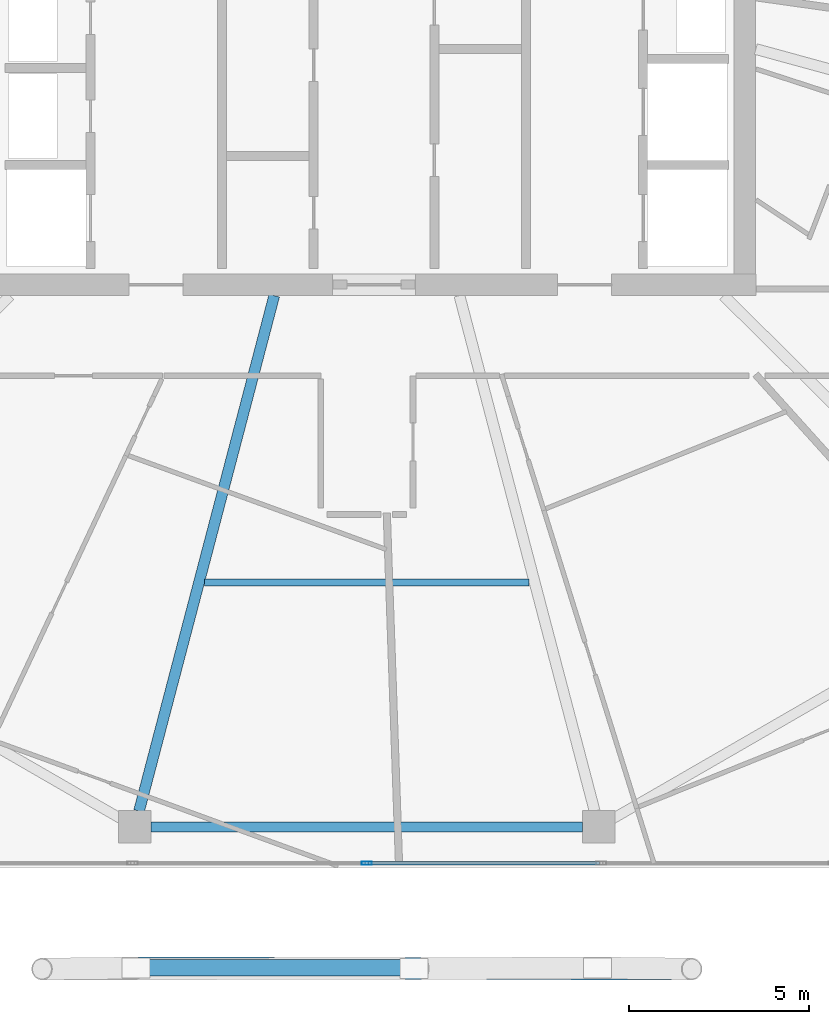
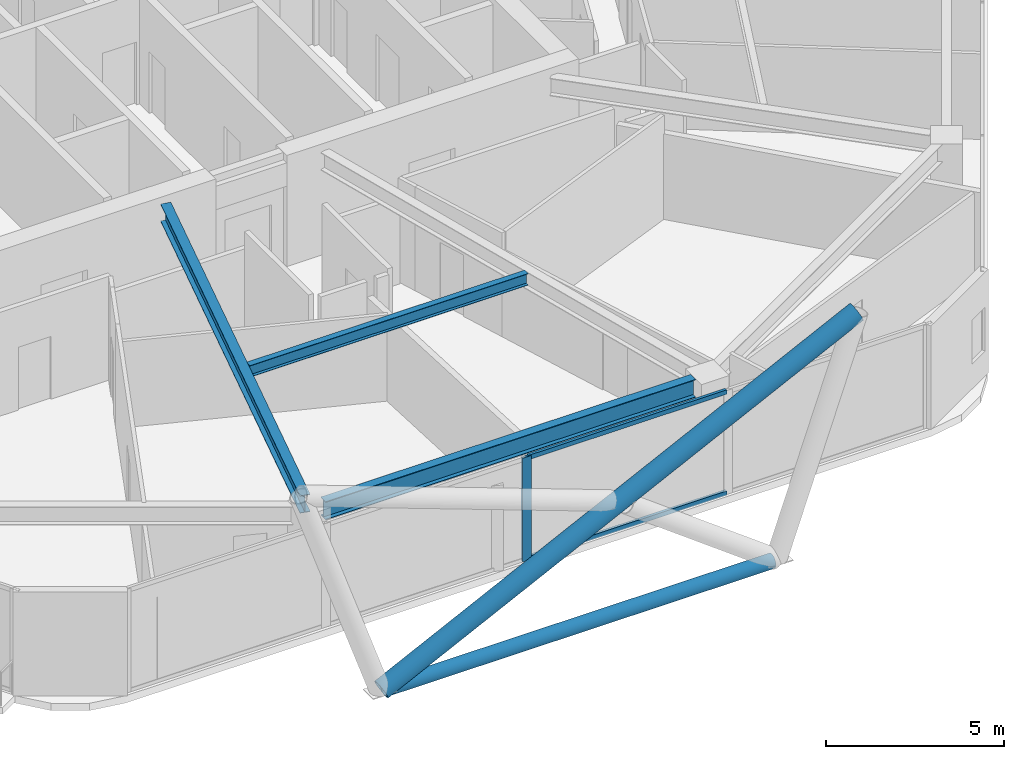
# One storey, part 4 of 27: 5 members, 3 beams, 1 element without a shape of its own.
"""IFC4 building model written with IfcOpenShell, lengths in metres."""

from ifc_helpers import new_model, si_unit, direction, frame, origin, origin_2d, place, context, subcontext, project, spatial, hollow_rectangle, hollow_circle, i_section, extrude, material, material_profile, profile_set, type_object, element, aggregate, save


model = new_model("IFC4")

# Units and contexts
model_context = context("Model", 3, precision=1e-05, world=origin(), true_north=direction((0.0, 1.0)))
body_context = subcontext(model_context, "Body", "Model", "MODEL_VIEW")
ifc_project = project(units=[si_unit("LENGTHUNIT", "METRE"), si_unit("AREAUNIT", "SQUARE_METRE"), si_unit("VOLUMEUNIT", "CUBIC_METRE"), si_unit("PLANEANGLEUNIT", "RADIAN"), si_unit("MASSUNIT", "GRAM", prefix="KILO")], contexts=[model_context])

# Site, building, storey
site_placement = place(None, origin())
site = spatial("IfcSite", under=ifc_project, at=site_placement, CompositionType="ELEMENT")
building_placement = place(site_placement, origin())
building = spatial("IfcBuilding", under=site, at=building_placement, Name="Zuhravey Tower", CompositionType="ELEMENT")
storey_placement = place(building_placement, frame((0.0, 0.0, 238.800048828125)))
storey = spatial("IfcBuildingStorey", under=building, at=storey_placement, Name="L60", CompositionType="ELEMENT", Elevation=238.800048828125)

# Curtain wall, members
ifc_material_1 = material(Name="Thermally broken anodised aluminium", Category="aluminium")
curtain_wall_type = type_object("IfcCurtainWallType", Name="Zone 3-4 High-Rise Curtain Wall CW4", PredefinedType="NOTDEFINED", material=ifc_material_1)
curtain_wall_placement = place(storey_placement, origin())
curtain_wall = element("IfcCurtainWall", 1, at=curtain_wall_placement, inside=storey, type_object=curtain_wall_type, Name="L60 CW4 CW-L60-F5-1", PredefinedType="NOTDEFINED")
ifc_material_2 = material(Name="Anodised aluminium", Category="aluminium")
ifc_material_profile_1 = material_profile(ifc_material_2, hollow_rectangle(XDim=0.090087890625, YDim=0.284912109375, WallThickness=0.0048828125, at=origin_2d()), Name="ALU-RHS-90x285x5")
ifc_profile_set_1 = profile_set([ifc_material_profile_1], Name="Anodised aluminium")
member_type_1 = type_object("IfcMemberType", Name="Curtain-Wall Mullion 90x180", PredefinedType="MULLION", material=ifc_profile_set_1)
member_1_placement = place(storey_placement, frame((36.0, 6.436279296875, 0.0), z_axis=(0.0, 0.0, 1.0), x_axis=(0.0, -1.0, 0.0)))
member_1 = element("IfcMember", 2, at=member_1_placement, type_object=member_type_1, Name="CW4 mullion 3", PredefinedType="MULLION", context=body_context, shape_type="SweptSolid", body=[
    extrude(hollow_rectangle(XDim=0.090087890625, YDim=0.284912109375, WallThickness=0.0048828125, at=origin_2d()), origin(), (0.0, 0.0, 1.0), 3.550048828125),
])
ifc_material_profile_2 = material_profile(ifc_material_2, hollow_rectangle(XDim=0.090087890625, YDim=0.14990234375, WallThickness=0.0048828125, at=origin_2d()), Name="ALU-RHS-90x150x5")
ifc_profile_set_2 = profile_set([ifc_material_profile_2], Name="Anodised aluminium")
member_type_2 = type_object("IfcMemberType", Name="Curtain-Wall Transom 90x150", PredefinedType="USERDEFINED", material=ifc_profile_set_2)
member_2_placement = place(storey_placement, frame((42.46142578125, 6.436279296875, 0.044921875), z_axis=(-1.0, 0.0, 0.0), x_axis=(0.0, -1.0, 0.0)))
member_2 = element("IfcMember", 3, at=member_2_placement, type_object=member_type_2, Name="CW4 transom 2.1", ObjectType="TRANSOM", PredefinedType="USERDEFINED", context=body_context, shape_type="SweptSolid", body=[
    extrude(hollow_rectangle(XDim=0.090087890625, YDim=0.14990234375, WallThickness=0.0048828125, at=origin_2d()), origin(), (0.0, 0.0, 1.0), 6.41650390625),
])
member_3_placement = place(storey_placement, frame((42.46142578125, 6.436279296875, 3.5048828125), z_axis=(-1.0, 0.0, 0.0), x_axis=(0.0, -1.0, 0.0)))
member_3 = element("IfcMember", 4, at=member_3_placement, type_object=member_type_2, Name="CW4 transom 2.2", ObjectType="TRANSOM", PredefinedType="USERDEFINED", context=body_context, shape_type="SweptSolid", body=[
    extrude(hollow_rectangle(XDim=0.090087890625, YDim=0.14990234375, WallThickness=0.0048828125, at=origin_2d()), origin(), (0.0, 0.0, 1.0), 6.41650390625),
])
aggregate(curtain_wall, [member_1, member_2, member_3])

# Members
ifc_material_3 = material(Name="Steel SM355", Category="steel")
ifc_material_profile_3 = material_profile(ifc_material_3, hollow_circle(Radius=0.228515625, WallThickness=0.02197265625, at=origin_2d()), Name="CHS-457.2x22")
ifc_profile_set_3 = profile_set([ifc_material_profile_3], Name="Steel SM355")
member_type_3 = type_object("IfcMemberType", Name="Exoskeleton Ring Tie CHS457x22", PredefinedType="CHORD", material=ifc_profile_set_3)
member_4_placement = place(storey_placement, frame((29.732421875, 3.5263671875, -0.464111328125), z_axis=(1.0, 0.0, 0.0), x_axis=(0.0, 1.0, 0.0)))
element("IfcMember", 5, at=member_4_placement, inside=storey, type_object=member_type_3, Name="L60 Exoskeleton Face 5 Tie EXR1", PredefinedType="CHORD", context=body_context, shape_type="SweptSolid", body=[
    extrude(hollow_circle(Radius=0.228515625, WallThickness=0.02197265625, at=origin_2d()), origin(), (0.0, 0.0, 1.0), 12.53515625),
])
ifc_material_profile_4 = material_profile(ifc_material_3, hollow_circle(Radius=0.3046875, WallThickness=0.028076171875, at=origin_2d()), Name="CHS-609.6x28")
ifc_profile_set_4 = profile_set([ifc_material_profile_4], Name="Steel SM355")
member_type_4 = type_object("IfcMemberType", Name="Exoskeleton Zone 3 Diagrid CHS610x28", PredefinedType="BRACE", material=ifc_profile_set_4)
member_5_placement = place(storey_placement, frame((29.62890625, 3.5263671875, -0.446044921875), z_axis=(0.897160453497, -0.001739318523, 0.441701364558), x_axis=(0.001938689169, 0.99999812074, 0.0)))
element("IfcMember", 6, at=member_5_placement, inside=storey, type_object=member_type_4, Name="L60 Face 5 Diagrid Brace 2", PredefinedType="BRACE", context=body_context, shape_type="SweptSolid", body=[
    extrude(hollow_circle(Radius=0.3046875, WallThickness=0.028076171875, at=origin_2d()), origin(), (0.0, 0.0, 1.0), 17.12451171875),
])

# Beams
ifc_material_profile_5 = material_profile(ifc_material_3, i_section(OverallWidth=0.280029296875, OverallDepth=0.6201171875, WebThickness=0.011962890625, FlangeThickness=0.02001953125, at=origin_2d()), Name="H-620x280x12x20")
ifc_profile_set_5 = profile_set([ifc_material_profile_5], Name="Steel SM355")
beam_type_1 = type_object("IfcBeamType", Name="Perimeter Ring Beam H620x280", PredefinedType="BEAM", material=ifc_profile_set_5)
beam_1_placement = place(storey_placement, frame((30.01220703125, 7.4462890625, 3.239990234375), z_axis=(1.0, 0.0, 0.0), x_axis=(0.0, 1.0, 0.0)))
element("IfcBeam", 7, at=beam_1_placement, inside=storey, type_object=beam_type_1, Name="L60 PB3 BM-L60-PB-09", PredefinedType="BEAM", context=body_context, shape_type="SweptSolid", body=[
    extrude(i_section(OverallWidth=0.280029296875, OverallDepth=0.6201171875, WebThickness=0.011962890625, FlangeThickness=0.02001953125, at=origin_2d()), origin(), (0.0, 0.0, 1.0), 11.9755859375),
])
ifc_material_profile_6 = material_profile(ifc_material_3, i_section(OverallWidth=0.300048828125, OverallDepth=0.60009765625, WebThickness=0.011962890625, FlangeThickness=0.02001953125, at=origin_2d()), Name="H-600x300x12x20")
ifc_profile_set_6 = profile_set([ifc_material_profile_6], Name="Steel SM355")
beam_type_2 = type_object("IfcBeamType", Name="Radial Primary Girder H600x300", PredefinedType="BEAM", material=ifc_profile_set_6)
beam_2_placement = place(storey_placement, frame((33.428466796875, 22.197021484375, 3.25), z_axis=(-0.253731415841, -0.967274712073, 0.0), x_axis=(0.967274712073, -0.253731415841, 0.0)))
element("IfcBeam", 8, at=beam_2_placement, inside=storey, type_object=beam_type_2, Name="L60 RG3 BM-L60-RAD-09", PredefinedType="BEAM", context=body_context, shape_type="SweptSolid", body=[
    extrude(i_section(OverallWidth=0.300048828125, OverallDepth=0.60009765625, WebThickness=0.011962890625, FlangeThickness=0.02001953125, at=origin_2d()), origin(), (0.0, 0.0, 1.0), 14.796630859375),
])
ifc_material_profile_7 = material_profile(ifc_material_3, i_section(OverallWidth=0.199951171875, OverallDepth=0.39990234375, WebThickness=0.008056640625, FlangeThickness=0.012939453125, at=origin_2d()), Name="H-400x200x8x13")
ifc_profile_set_7 = profile_set([ifc_material_profile_7], Name="Steel SM355")
beam_type_3 = type_object("IfcBeamType", Name="Secondary Floor Joist H400x200", PredefinedType="JOIST", material=ifc_profile_set_7)
beam_3_placement = place(storey_placement, frame((31.492919921875, 14.231689453125, 3.349853515625), z_axis=(1.0, 0.0, 0.0), x_axis=(0.0, 1.0, 0.0)))
element("IfcBeam", 9, at=beam_3_placement, inside=storey, type_object=beam_type_3, Name="L60 SJ2 BM-L60-SJ-09-1", PredefinedType="JOIST", context=body_context, shape_type="SweptSolid", body=[
    extrude(i_section(OverallWidth=0.199951171875, OverallDepth=0.39990234375, WebThickness=0.008056640625, FlangeThickness=0.012939453125, at=origin_2d()), origin(), (0.0, 0.0, 1.0), 9.01416015625),
])

save(model, "model.ifc")
